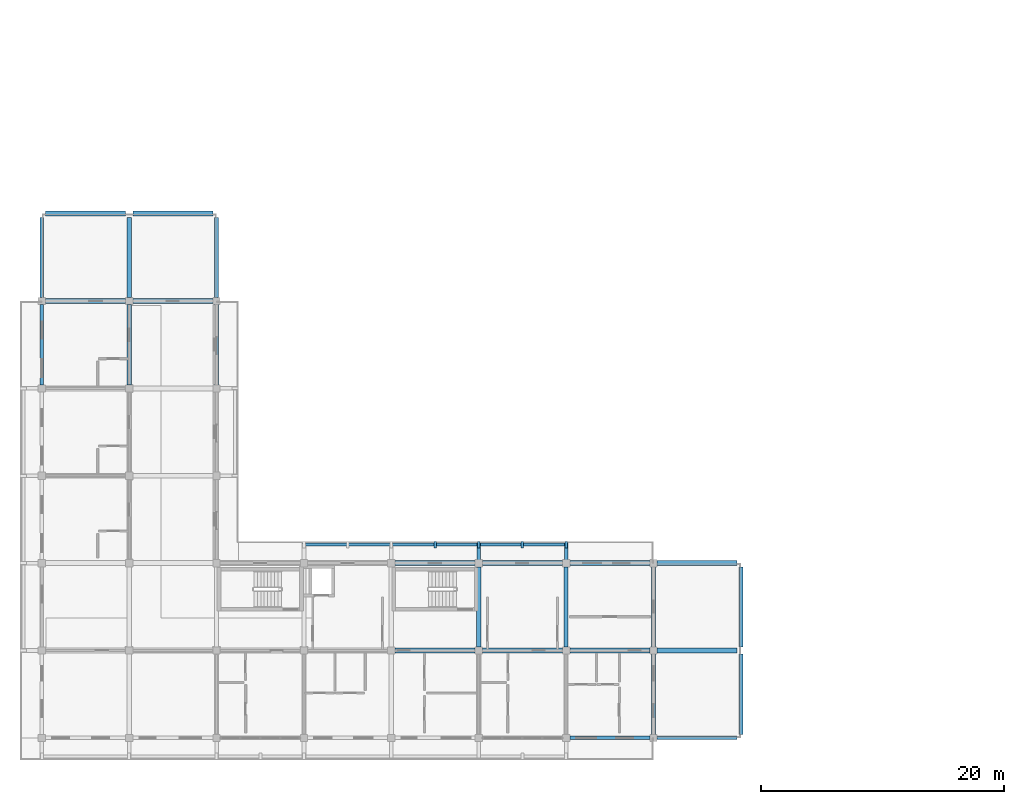
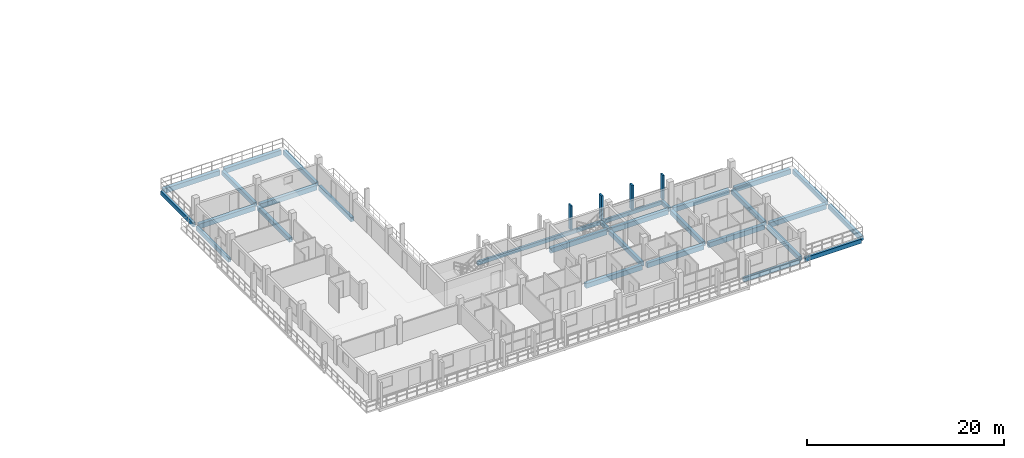
# One storey, part 9 of 78: 29 beams, 4 members.
"""IFC4 building model written with IfcOpenShell, lengths in metres."""

from ifc_helpers import new_model, si_unit, direction, frame, origin, origin_2d, place, context, subcontext, project, spatial, rectangle, extrude, material, material_profile, profile_set, type_object, element, save


model = new_model("IFC4")

# Units and contexts
model_context = context("Model", 3, precision=1e-05, world=origin(), true_north=direction((0.0, 1.0)))
body_context = subcontext(model_context, "Body", "Model", "MODEL_VIEW")
ifc_project = project(units=[si_unit("LENGTHUNIT", "METRE"), si_unit("AREAUNIT", "SQUARE_METRE"), si_unit("VOLUMEUNIT", "CUBIC_METRE"), si_unit("PLANEANGLEUNIT", "RADIAN"), si_unit("MASSUNIT", "GRAM", prefix="KILO")], contexts=[model_context])

# Site, building, storey
site_placement = place(None, origin())
site = spatial("IfcSite", under=ifc_project, at=site_placement, CompositionType="ELEMENT")
building_placement = place(site_placement, origin())
building = spatial("IfcBuilding", under=site, at=building_placement, Name="Suanplinth Sawtooth Commons", CompositionType="ELEMENT")
storey_placement = place(building_placement, frame((0.0, 0.0, 15.39990234375)))
storey = spatial("IfcBuildingStorey", under=building, at=storey_placement, Name="L04", CompositionType="ELEMENT", Elevation=15.39990234375)

# Beams
ifc_material_1 = material(Name="Precast concrete C40/50", Category="concrete")
ifc_material_profile_1 = material_profile(ifc_material_1, rectangle(XDim=0.39990234375, YDim=0.60009765625, at=origin_2d()), Name="PC-GDR 400x600")
ifc_profile_set_1 = profile_set([ifc_material_profile_1], Name="Precast concrete C40/50")
beam_type_1 = type_object("IfcBeamType", Name="B-05", PredefinedType="USERDEFINED", material=ifc_profile_set_1)
for number, where, z_axis, x_axis, name in (
    (1, (0.300048828125, 36.0, -0.52001953125), (1.0, 0.0, 0.0), (0.0, 1.0, 0.0), "BMX-L04-D-0-5"),
    (2, (0.300048828125, 43.199951171875, -0.52001953125), (1.0, 0.0, 0.0), (0.0, 1.0, 0.0), "BMX-L04-D-0-6"),
):
    element("IfcBeam", number, at=place(storey_placement, frame(where, z_axis=z_axis, x_axis=x_axis)), inside=storey, type_object=beam_type_1, Name=name, ObjectType="GIRDER", PredefinedType="USERDEFINED", context=body_context, shape_type="SweptSolid", body=[
        extrude(rectangle(XDim=0.39990234375, YDim=0.60009765625, at=origin_2d()), origin(), (0.0, 0.0, 1.0), 6.599853515625),
    ])
for number, where, z_axis, x_axis, name in (
    (3, (7.5, 36.0, -0.52001953125), (1.0, 0.0, 0.0), (0.0, 1.0, 0.0), "BMX-L04-D-1-5"),
    (4, (7.5, 43.199951171875, -0.52001953125), (1.0, 0.0, 0.0), (0.0, 1.0, 0.0), "BMX-L04-D-1-6"),
):
    element("IfcBeam", number, at=place(storey_placement, frame(where, z_axis=z_axis, x_axis=x_axis)), inside=storey, type_object=beam_type_1, Name=name, ObjectType="GIRDER", PredefinedType="USERDEFINED", context=body_context, shape_type="SweptSolid", body=[
        extrude(rectangle(XDim=0.39990234375, YDim=0.60009765625, at=origin_2d()), origin(), (0.0, 0.0, 1.0), 6.60009765625),
    ])
for number, where, z_axis, x_axis, name in (
    (5, (29.10009765625, 7.199951171875, -0.52001953125), (1.0, 0.0, 0.0), (0.0, 1.0, 0.0), "BMX-L04-D-4-1"),
    (6, (29.10009765625, 14.39990234375, -0.52001953125), (1.0, 0.0, 0.0), (0.0, 1.0, 0.0), "BMX-L04-D-4-2"),
    (7, (36.300048828125, 7.199951171875, -0.52001953125), (1.0, 0.0, 0.0), (0.0, 1.0, 0.0), "BMX-L04-D-5-1"),
    (8, (36.300048828125, 14.39990234375, -0.52001953125), (1.0, 0.0, 0.0), (0.0, 1.0, 0.0), "BMX-L04-D-5-2"),
):
    element("IfcBeam", number, at=place(storey_placement, frame(where, z_axis=z_axis, x_axis=x_axis)), inside=storey, type_object=beam_type_1, Name=name, ObjectType="GIRDER", PredefinedType="USERDEFINED", context=body_context, shape_type="SweptSolid", body=[
        extrude(rectangle(XDim=0.39990234375, YDim=0.60009765625, at=origin_2d()), origin(), (0.0, 0.0, 1.0), 6.599853515625),
    ])
for number, where, z_axis, x_axis, name in (
    (9, (43.5, 7.199951171875, -0.52001953125), (1.0, 0.0, 0.0), (0.0, 1.0, 0.0), "BMX-L04-D-6-1"),
    (10, (43.5, 14.39990234375, -0.52001953125), (1.0, 0.0, 0.0), (0.0, 1.0, 0.0), "BMX-L04-D-6-2"),
    (11, (50.699951171875, 7.199951171875, -0.52001953125), (1.0, 0.0, 0.0), (0.0, 1.0, 0.0), "BMX-L04-D-7-1"),
    (12, (50.699951171875, 14.39990234375, -0.52001953125), (1.0, 0.0, 0.0), (0.0, 1.0, 0.0), "BMX-L04-D-7-2"),
):
    element("IfcBeam", number, at=place(storey_placement, frame(where, z_axis=z_axis, x_axis=x_axis)), inside=storey, type_object=beam_type_1, Name=name, ObjectType="GIRDER", PredefinedType="USERDEFINED", context=body_context, shape_type="SweptSolid", body=[
        extrude(rectangle(XDim=0.39990234375, YDim=0.60009765625, at=origin_2d()), origin(), (0.0, 0.0, 1.0), 6.60009765625),
    ])
ifc_material_profile_2 = material_profile(ifc_material_1, rectangle(XDim=0.35009765625, YDim=0.550048828125, at=origin_2d()), Name="PC-BM 350x550")
ifc_profile_set_2 = profile_set([ifc_material_profile_2], Name="Precast concrete C40/50")
beam_type_2 = type_object("IfcBeamType", Name="B-06", PredefinedType="BEAM", material=ifc_profile_set_2)
for number, where, z_axis, x_axis, name in (
    (13, (7.199951171875, 29.10009765625, -0.494873046875), (0.0, 1.0, 0.0), (-1.0, 0.0, 0.0), "BMY-L04-D-1-4"),
    (14, (7.199951171875, 36.300048828125, -0.494873046875), (0.0, 1.0, 0.0), (-1.0, 0.0, 0.0), "BMY-L04-D-1-5"),
    (15, (14.39990234375, 29.10009765625, -0.494873046875), (0.0, 1.0, 0.0), (-1.0, 0.0, 0.0), "BMY-L04-D-2-4"),
    (16, (14.39990234375, 36.300048828125, -0.494873046875), (0.0, 1.0, 0.0), (-1.0, 0.0, 0.0), "BMY-L04-D-2-5"),
):
    element("IfcBeam", number, at=place(storey_placement, frame(where, z_axis=z_axis, x_axis=x_axis)), inside=storey, type_object=beam_type_2, Name=name, PredefinedType="BEAM", context=body_context, shape_type="SweptSolid", body=[
        extrude(rectangle(XDim=0.35009765625, YDim=0.550048828125, at=origin_2d()), origin(), (0.0, 0.0, 1.0), 6.599853515625),
    ])
for number, where, z_axis, x_axis, name in (
    (17, (36.0, 7.5, -0.494873046875), (0.0, 1.0, 0.0), (-1.0, 0.0, 0.0), "BMY-L04-D-5-1"),
    (18, (43.199951171875, 7.5, -0.494873046875), (0.0, 1.0, 0.0), (-1.0, 0.0, 0.0), "BMY-L04-D-6-1"),
):
    element("IfcBeam", number, at=place(storey_placement, frame(where, z_axis=z_axis, x_axis=x_axis)), inside=storey, type_object=beam_type_2, Name=name, PredefinedType="BEAM", context=body_context, shape_type="SweptSolid", body=[
        extrude(rectangle(XDim=0.35009765625, YDim=0.550048828125, at=origin_2d()), origin(), (0.0, 0.0, 1.0), 6.60009765625),
    ])
beam_1_placement = place(storey_placement, frame((50.39990234375, 0.300048828125, -0.494873046875), z_axis=(0.0, 1.0, 0.0), x_axis=(-1.0, 0.0, 0.0)))
element("IfcBeam", 19, at=beam_1_placement, inside=storey, type_object=beam_type_2, Name="BMY-L04-D-7-0", PredefinedType="BEAM", context=body_context, shape_type="SweptSolid", body=[
    extrude(rectangle(XDim=0.35009765625, YDim=0.550048828125, at=origin_2d()), origin(), (0.0, 0.0, 1.0), 6.599853515625),
])
beam_2_placement = place(storey_placement, frame((50.39990234375, 7.5, -0.494873046875), z_axis=(0.0, 1.0, 0.0), x_axis=(-1.0, 0.0, 0.0)))
element("IfcBeam", 20, at=beam_2_placement, inside=storey, type_object=beam_type_2, Name="BMY-L04-D-7-1", PredefinedType="BEAM", context=body_context, shape_type="SweptSolid", body=[
    extrude(rectangle(XDim=0.35009765625, YDim=0.550048828125, at=origin_2d()), origin(), (0.0, 0.0, 1.0), 6.60009765625),
])
beam_3_placement = place(storey_placement, frame((57.60009765625, 0.300048828125, -0.494873046875), z_axis=(0.0, 1.0, 0.0), x_axis=(-1.0, 0.0, 0.0)))
element("IfcBeam", 21, at=beam_3_placement, inside=storey, type_object=beam_type_2, Name="BMY-L04-D-8-0", PredefinedType="BEAM", context=body_context, shape_type="SweptSolid", body=[
    extrude(rectangle(XDim=0.35009765625, YDim=0.550048828125, at=origin_2d()), origin(), (0.0, 0.0, 1.0), 6.599853515625),
])
beam_4_placement = place(storey_placement, frame((57.60009765625, 7.5, -0.494873046875), z_axis=(0.0, 1.0, 0.0), x_axis=(-1.0, 0.0, 0.0)))
element("IfcBeam", 22, at=beam_4_placement, inside=storey, type_object=beam_type_2, Name="BMY-L04-D-8-1", PredefinedType="BEAM", context=body_context, shape_type="SweptSolid", body=[
    extrude(rectangle(XDim=0.35009765625, YDim=0.550048828125, at=origin_2d()), origin(), (0.0, 0.0, 1.0), 6.60009765625),
])
ifc_material_profile_3 = material_profile(ifc_material_1, rectangle(XDim=0.300048828125, YDim=0.5, at=origin_2d()), Name="PC-BM 300x500")
ifc_profile_set_3 = profile_set([ifc_material_profile_3], Name="Precast concrete C40/50")
beam_type_3 = type_object("IfcBeamType", Name="B-07", PredefinedType="BEAM", material=ifc_profile_set_3)
for number, where, z_axis, x_axis, name in (
    (23, (36.0, 14.39990234375, -0.4248046875), (0.0, 1.0, 0.0), (-1.0, 0.0, 0.0), "Balcony Outrigger L04-D-NC-5"),
    (24, (43.199951171875, 14.39990234375, -0.4248046875), (0.0, 1.0, 0.0), (-1.0, 0.0, 0.0), "Balcony Outrigger L04-D-NC-6"),
):
    element("IfcBeam", number, at=place(storey_placement, frame(where, z_axis=z_axis, x_axis=x_axis)), inside=storey, type_object=beam_type_3, Name=name, PredefinedType="BEAM", context=body_context, shape_type="SweptSolid", body=[
        extrude(rectangle(XDim=0.300048828125, YDim=0.5, at=origin_2d()), origin(), (0.0, 0.0, 1.0), 1.64013671875),
    ])
ifc_material_profile_4 = material_profile(ifc_material_1, rectangle(XDim=0.280029296875, YDim=0.52001953125, at=origin_2d()), Name="PC-SP 280x520")
ifc_profile_set_4 = profile_set([ifc_material_profile_4], Name="Precast concrete C40/50")
beam_type_4 = type_object("IfcBeamType", Name="B-08", PredefinedType="SPANDREL", material=ifc_profile_set_4)
for number, where, z_axis, x_axis, name in (
    (25, (43.5, 0.0, -0.47998046875), (1.0, 0.0, 0.0), (0.0, 1.0, 0.0), "BMX-L04-D-6-0"),
    (26, (50.699951171875, 0.0, -0.47998046875), (1.0, 0.0, 0.0), (0.0, 1.0, 0.0), "BMX-L04-D-7-0"),
):
    element("IfcBeam", number, at=place(storey_placement, frame(where, z_axis=z_axis, x_axis=x_axis)), inside=storey, type_object=beam_type_4, Name=name, PredefinedType="SPANDREL", context=body_context, shape_type="SweptSolid", body=[
        extrude(rectangle(XDim=0.280029296875, YDim=0.52001953125, at=origin_2d()), origin(), (0.0, 0.0, 1.0), 6.60009765625),
    ])
for number, where, z_axis, x_axis, name in (
    (27, (0.0, 29.10009765625, -0.47998046875), (0.0, 1.0, 0.0), (-1.0, 0.0, 0.0), "BMY-L04-D-0-4"),
    (28, (0.0, 36.300048828125, -0.47998046875), (0.0, 1.0, 0.0), (-1.0, 0.0, 0.0), "BMY-L04-D-0-5"),
):
    element("IfcBeam", number, at=place(storey_placement, frame(where, z_axis=z_axis, x_axis=x_axis)), inside=storey, type_object=beam_type_4, Name=name, PredefinedType="SPANDREL", context=body_context, shape_type="SweptSolid", body=[
        extrude(rectangle(XDim=0.280029296875, YDim=0.52001953125, at=origin_2d()), origin(), (0.0, 0.0, 1.0), 6.599853515625),
    ])
ifc_material_profile_5 = material_profile(ifc_material_1, rectangle(XDim=0.25, YDim=0.449951171875, at=origin_2d()), Name="PC-SP 250x450")
ifc_profile_set_5 = profile_set([ifc_material_profile_5], Name="Precast concrete C40/50")
beam_type_5 = type_object("IfcBeamType", Name="B-09", PredefinedType="SPANDREL", material=ifc_profile_set_5)
beam_5_placement = place(storey_placement, frame((21.449951171875, 15.919921875, -0.39990234375), z_axis=(1.0, 0.0, 0.0), x_axis=(0.0, 1.0, 0.0)))
element("IfcBeam", 29, at=beam_5_placement, inside=storey, type_object=beam_type_5, Name="Balcony Edge Fascia L04-D-NC", PredefinedType="SPANDREL", context=body_context, shape_type="SweptSolid", body=[
    extrude(rectangle(XDim=0.25, YDim=0.449951171875, at=origin_2d()), origin(), (0.0, 0.0, 1.0), 21.900146484375),
])

# Members
ifc_material_2 = material(Name="Pigmented precast concrete C40/50", Category="concrete")
ifc_material_profile_6 = material_profile(ifc_material_2, rectangle(XDim=0.2099609375, YDim=0.52001953125, at=origin_2d()), Name="PC-FIN 210x520")
ifc_profile_set_6 = profile_set([ifc_material_profile_6], Name="Pigmented precast concrete C40/50")
member_type = type_object("IfcMemberType", Name="M-12", PredefinedType="USERDEFINED", material=ifc_profile_set_6)
for number, where, z_axis, x_axis, name in (
    (30, (32.39990234375, 15.919921875, 0.0), (0.0, 0.0, 1.0), (1.0, 0.0, 0.0), "Upright Solar Blade L04-D-NC-15"),
    (31, (36.0, 15.919921875, 0.0), (0.0, 0.0, 1.0), (1.0, 0.0, 0.0), "Upright Solar Blade L04-D-NC-16"),
    (32, (39.60009765625, 15.919921875, 0.0), (0.0, 0.0, 1.0), (1.0, 0.0, 0.0), "Upright Solar Blade L04-D-NC-17"),
    (33, (43.199951171875, 15.919921875, 0.0), (0.0, 0.0, 1.0), (1.0, 0.0, 0.0), "Upright Solar Blade L04-D-NC-18"),
):
    element("IfcMember", number, at=place(storey_placement, frame(where, z_axis=z_axis, x_axis=x_axis)), inside=storey, type_object=member_type, Name=name, ObjectType="SHADING FIN", PredefinedType="USERDEFINED", context=body_context, shape_type="SweptSolid", body=[
        extrude(rectangle(XDim=0.2099609375, YDim=0.52001953125, at=origin_2d()), origin(), (0.0, 0.0, 1.0), 3.030029296875),
    ])

save(model, "model.ifc")
